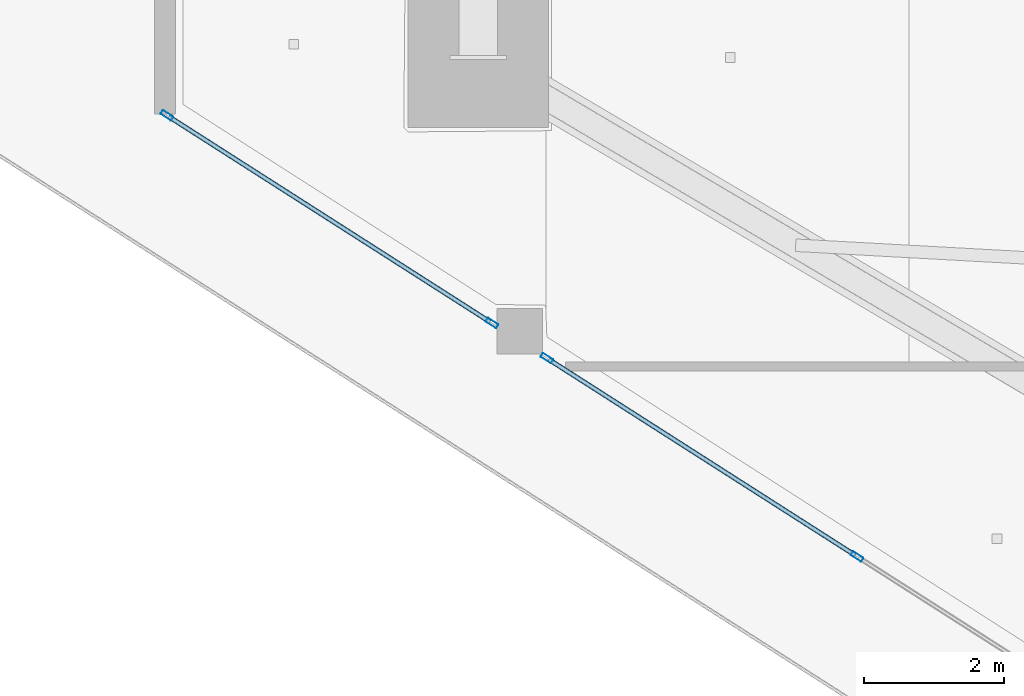
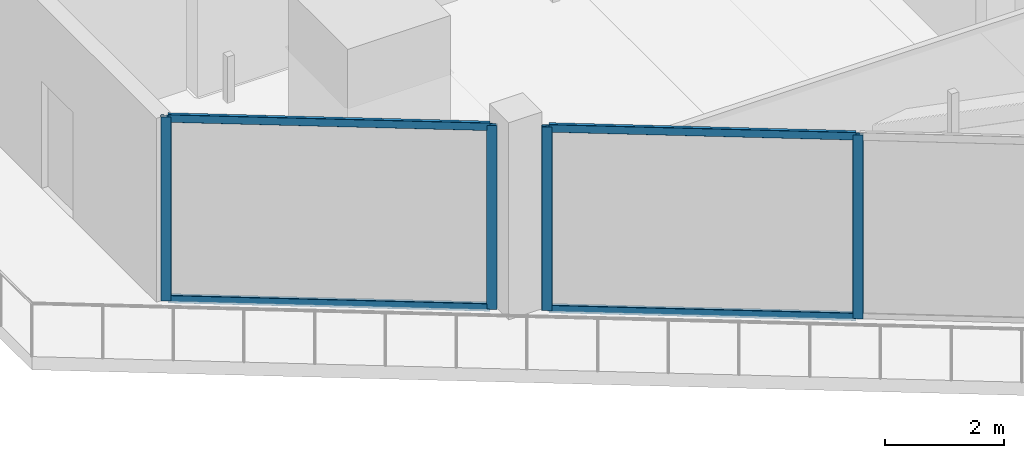
# One storey, part 6 of 43: 8 members, 2 elements without a shape of their own.
"""IFC4 building model written with IfcOpenShell, lengths in metres."""

from ifc_helpers import new_model, si_unit, direction, frame, origin, origin_2d, place, context, subcontext, project, spatial, hollow_rectangle, extrude, material, layer, layer_set, material_profile, profile_set, type_object, element, aggregate, save


model = new_model("IFC4")

# Units and contexts
model_context = context("Model", 3, precision=1e-05, world=origin(), true_north=direction((0.0, 1.0)))
body_context = subcontext(model_context, "Body", "Model", "MODEL_VIEW")
ifc_project = project(units=[si_unit("LENGTHUNIT", "METRE"), si_unit("AREAUNIT", "SQUARE_METRE"), si_unit("VOLUMEUNIT", "CUBIC_METRE"), si_unit("PLANEANGLEUNIT", "RADIAN"), si_unit("MASSUNIT", "GRAM", prefix="KILO")], contexts=[model_context])

# Site, building, storey
site_placement = place(None, origin())
site = spatial("IfcSite", under=ifc_project, at=site_placement, CompositionType="ELEMENT")
building_placement = place(site_placement, origin())
building = spatial("IfcBuilding", under=site, at=building_placement, Name="Qorvath Tower", CompositionType="ELEMENT")
storey_placement = place(building_placement, frame((0.0, 0.0, 213.14990234375)))
storey = spatial("IfcBuildingStorey", under=building, at=storey_placement, Name="L49", CompositionType="ELEMENT", Elevation=213.14990234375)

# Curtain wall, members
ifc_material_1 = material(Name="Anodised aluminium and triple low-E glass", Category="aluminium")
ifc_layer = layer(ifc_material_1, 0.179931640625)
ifc_layer_set = layer_set([ifc_layer], Name="CW-SYS-3")
curtain_wall_type = type_object("IfcCurtainWallType", Name="CW-SYS-3", PredefinedType="NOTDEFINED", material=ifc_layer_set)
curtain_wall_1_placement = place(storey_placement, origin())
curtain_wall_1 = element("IfcCurtainWall", 1, at=curtain_wall_1_placement, inside=storey, type_object=curtain_wall_type, Name="Curtain Wall CW-3 CW-T-L49-2.1", PredefinedType="NOTDEFINED")
ifc_material_2 = material(Name="Anodised aluminium 6063-T6", Category="aluminium")
ifc_material_profile_1 = material_profile(ifc_material_2, hollow_rectangle(XDim=0.06494140625, YDim=0.179931640625, WallThickness=0.00341796875, InnerFilletRadius=0.00341796875, OuterFilletRadius=0.007080078125, at=origin_2d()), Name="CWM 180x65")
ifc_profile_set_1 = profile_set([ifc_material_profile_1], Name="Anodised aluminium 6063-T6")
member_type_1 = type_object("IfcMemberType", Name="CWM-180", PredefinedType="MULLION", material=ifc_profile_set_1)
member_1_placement = place(storey_placement, frame((-53.60546875, -3.3525390625, 0.0), z_axis=(0.0, 0.0, 1.0), x_axis=(0.538536522375, 0.842602168326, 0.0)))
member_1 = element("IfcMember", 2, at=member_1_placement, type_object=member_type_1, Name="CW-3 mullion 1", PredefinedType="MULLION", context=body_context, shape_type="SweptSolid", body=[
    extrude(hollow_rectangle(XDim=0.06494140625, YDim=0.179931640625, WallThickness=0.00341796875, InnerFilletRadius=0.00341796875, OuterFilletRadius=0.007080078125, at=origin_2d()), origin(), (0.0, 0.0, 1.0), 3.780029296875),
])
member_2_placement = place(storey_placement, frame((-48.975830078125, -6.311279296875, 0.0), z_axis=(0.0, 0.0, 1.0), x_axis=(0.538536522375, 0.842602168326, 0.0)))
member_2 = element("IfcMember", 3, at=member_2_placement, type_object=member_type_1, Name="CW-3 mullion 2", PredefinedType="MULLION", context=body_context, shape_type="SweptSolid", body=[
    extrude(hollow_rectangle(XDim=0.06494140625, YDim=0.179931640625, WallThickness=0.00341796875, InnerFilletRadius=0.00341796875, OuterFilletRadius=0.007080078125, at=origin_2d()), origin(), (0.0, 0.0, 1.0), 3.780029296875),
])

curtain_wall_2_placement = place(storey_placement, origin())
curtain_wall_2 = element("IfcCurtainWall", 4, at=curtain_wall_2_placement, inside=storey, type_object=curtain_wall_type, Name="Curtain Wall CW-3 CW-T-L49-2.2", PredefinedType="NOTDEFINED")
member_3_placement = place(storey_placement, frame((-48.1923828125, -6.812255859375, 0.0), z_axis=(0.0, 0.0, 1.0), x_axis=(0.538532547612, 0.842604708723, 0.0)))
member_3 = element("IfcMember", 5, at=member_3_placement, type_object=member_type_1, Name="CW-3 mullion 1", PredefinedType="MULLION", context=body_context, shape_type="SweptSolid", body=[
    extrude(hollow_rectangle(XDim=0.06494140625, YDim=0.179931640625, WallThickness=0.00341796875, InnerFilletRadius=0.00341796875, OuterFilletRadius=0.007080078125, at=origin_2d()), origin(), (0.0, 0.0, 1.0), 3.780029296875),
])
member_4_placement = place(storey_placement, frame((-43.77490234375, -9.635498046875, 0.0), z_axis=(0.0, 0.0, 1.0), x_axis=(0.538532547612, 0.842604708723, 0.0)))
member_4 = element("IfcMember", 6, at=member_4_placement, type_object=member_type_1, Name="CW-3 mullion 2", PredefinedType="MULLION", context=body_context, shape_type="SweptSolid", body=[
    extrude(hollow_rectangle(XDim=0.06494140625, YDim=0.179931640625, WallThickness=0.00341796875, InnerFilletRadius=0.00341796875, OuterFilletRadius=0.007080078125, at=origin_2d()), origin(), (0.0, 0.0, 1.0), 3.780029296875),
])

# Member
ifc_material_3 = material(Name="Anodised aluminium 6063-T6", Category="aluminium")
ifc_material_profile_2 = material_profile(ifc_material_3, hollow_rectangle(XDim=0.06494140625, YDim=0.159912109375, WallThickness=0.00341796875, InnerFilletRadius=0.00341796875, OuterFilletRadius=0.007080078125, at=origin_2d()), Name="CWT 160x65")
ifc_profile_set_2 = profile_set([ifc_material_profile_2], Name="Anodised aluminium 6063-T6")
member_type_2 = type_object("IfcMemberType", Name="CWT-160", PredefinedType="USERDEFINED", material=ifc_profile_set_2)
member_5_placement = place(storey_placement, frame((-53.578125, -3.3701171875, 0.032470703125), z_axis=(0.842617480253, -0.538512564358, 0.0), x_axis=(0.538512564358, 0.842617480253, 0.0)))
member_5 = element("IfcMember", 7, at=member_5_placement, type_object=member_type_2, Name="CW-3 transom 1.1", ObjectType="TRANSOM", PredefinedType="USERDEFINED", context=body_context, shape_type="SweptSolid", body=[
    extrude(hollow_rectangle(XDim=0.06494140625, YDim=0.159912109375, WallThickness=0.00341796875, InnerFilletRadius=0.00341796875, OuterFilletRadius=0.007080078125, at=origin_2d()), origin(), (0.0, 0.0, 1.0), 5.429443359375),
])

member_6_placement = place(storey_placement, frame((-53.578125, -3.3701171875, 3.74755859375), z_axis=(0.842617480253, -0.538512564358, 0.0), x_axis=(0.538512564358, 0.842617480253, 0.0)))
member_6 = element("IfcMember", 8, at=member_6_placement, type_object=member_type_2, Name="CW-3 transom 1.2", ObjectType="TRANSOM", PredefinedType="USERDEFINED", context=body_context, shape_type="SweptSolid", body=[
    extrude(hollow_rectangle(XDim=0.06494140625, YDim=0.159912109375, WallThickness=0.00341796875, InnerFilletRadius=0.00341796875, OuterFilletRadius=0.007080078125, at=origin_2d()), origin(), (0.0, 0.0, 1.0), 5.429443359375),
])

aggregate(curtain_wall_1, [member_1, member_2, member_5, member_6])

member_7_placement = place(storey_placement, frame((-48.1650390625, -6.82958984375, 0.032470703125), z_axis=(0.842595813472, -0.538546465144, 0.0), x_axis=(0.538546465144, 0.842595813472, 0.0)))
member_7 = element("IfcMember", 9, at=member_7_placement, type_object=member_type_2, Name="CW-3 transom 1.1", ObjectType="TRANSOM", PredefinedType="USERDEFINED", context=body_context, shape_type="SweptSolid", body=[
    extrude(hollow_rectangle(XDim=0.06494140625, YDim=0.159912109375, WallThickness=0.00341796875, InnerFilletRadius=0.00341796875, OuterFilletRadius=0.007080078125, at=origin_2d()), origin(), (0.0, 0.0, 1.0), 5.177490234375),
])

member_8_placement = place(storey_placement, frame((-48.1650390625, -6.82958984375, 3.74755859375), z_axis=(0.842595813472, -0.538546465144, 0.0), x_axis=(0.538546465144, 0.842595813472, 0.0)))
member_8 = element("IfcMember", 10, at=member_8_placement, type_object=member_type_2, Name="CW-3 transom 1.2", ObjectType="TRANSOM", PredefinedType="USERDEFINED", context=body_context, shape_type="SweptSolid", body=[
    extrude(hollow_rectangle(XDim=0.06494140625, YDim=0.159912109375, WallThickness=0.00341796875, InnerFilletRadius=0.00341796875, OuterFilletRadius=0.007080078125, at=origin_2d()), origin(), (0.0, 0.0, 1.0), 5.177490234375),
])

aggregate(curtain_wall_2, [member_3, member_4, member_7, member_8])

save(model, "model.ifc")
